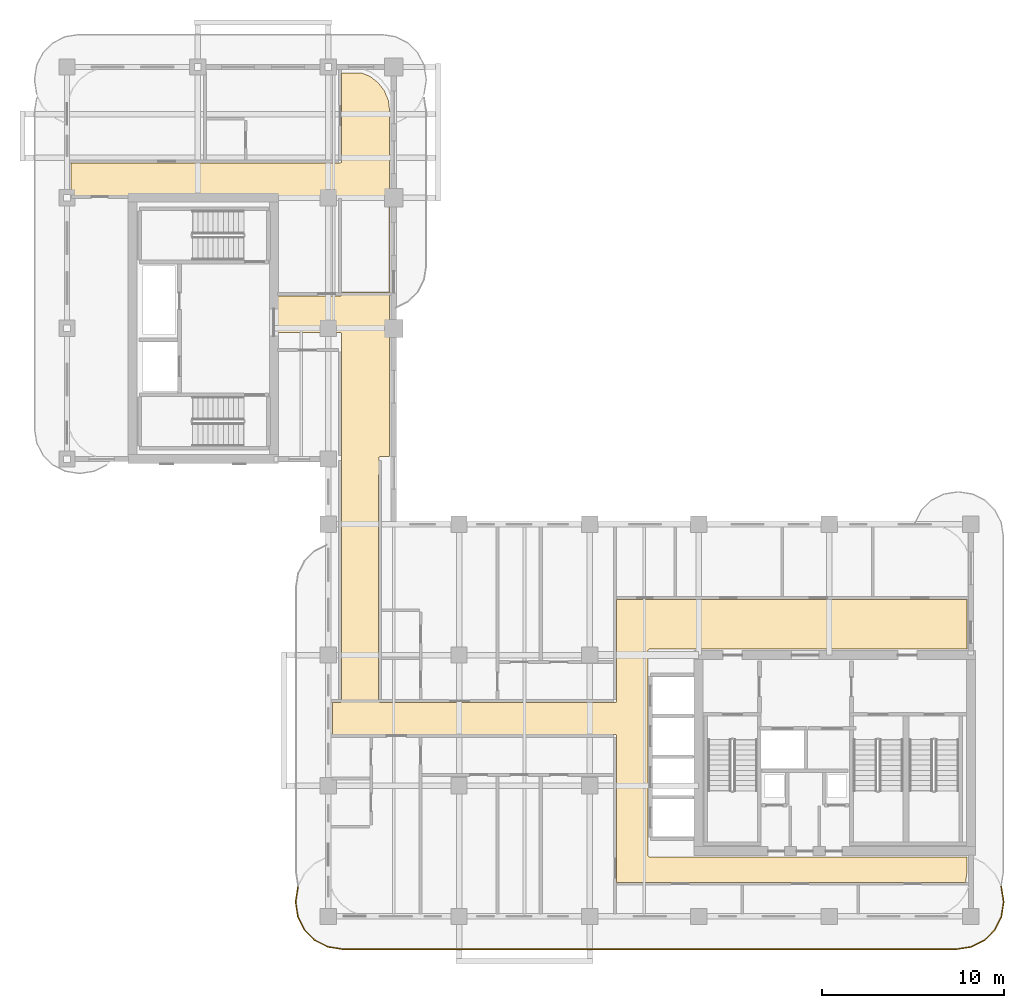
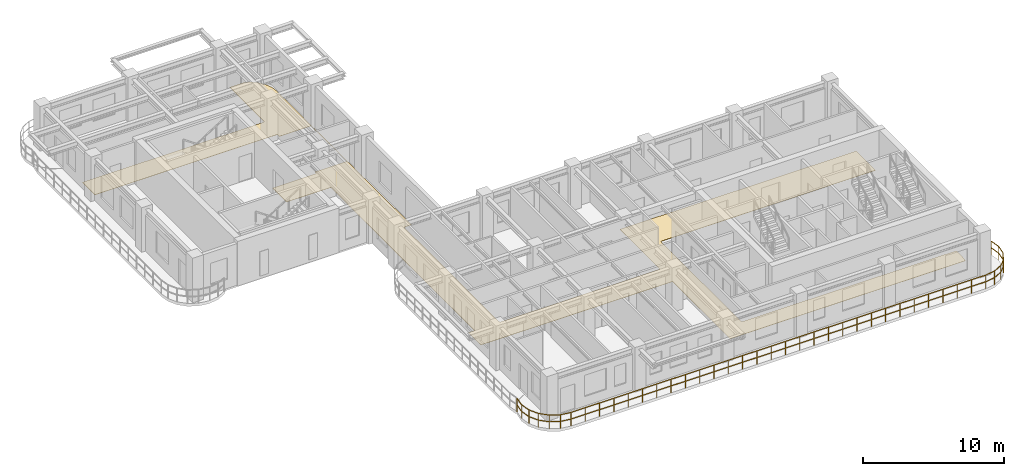
# One storey, part 11 of 14: 1 covering, 1 railing.
"""IFC4 building model written with IfcOpenShell, lengths in metres."""

from ifc_helpers import new_model, si_unit, derived_unit, direction, frame, origin, origin_2d, place, context, subcontext, project, spatial, polyline, rectangle, outline, extrude, material, layer, layer_set, type_object, element, save


model = new_model("IFC4")

# Units and contexts
model_context = context("Model", 3, precision=1e-05, world=origin(), true_north=direction((0.0, 1.0)))
body_context = subcontext(model_context, "Body", "Model", "MODEL_VIEW")
ifc_project = project(units=[si_unit("LENGTHUNIT", "METRE"), si_unit("AREAUNIT", "SQUARE_METRE"), si_unit("VOLUMEUNIT", "CUBIC_METRE"), si_unit("PLANEANGLEUNIT", "RADIAN"), si_unit("MASSUNIT", "GRAM", prefix="KILO"), si_unit("THERMODYNAMICTEMPERATUREUNIT", "KELVIN"), si_unit("POWERUNIT", "WATT"), derived_unit("THERMALTRANSMITTANCEUNIT", [(si_unit("POWERUNIT", "WATT"), 1), (si_unit("AREAUNIT", "SQUARE_METRE"), -1), (si_unit("THERMODYNAMICTEMPERATUREUNIT", "KELVIN"), -1)])], contexts=[model_context])

# Site, building, storey
site_placement = place(None, origin())
site = spatial("IfcSite", under=ifc_project, at=site_placement, CompositionType="ELEMENT")
building_placement = place(site_placement, origin())
building = spatial("IfcBuilding", under=site, at=building_placement, Name="Zahravan Archway Hotel and Residences", CompositionType="ELEMENT")
storey_placement = place(building_placement, frame((0.0, 0.0, 205.75)))
storey = spatial("IfcBuildingStorey", under=building, at=storey_placement, Name="L51", CompositionType="ELEMENT", Elevation=205.75)

# Covering
ifc_material_1 = material(Name="Engineered Walnut Parquet Flooring")
ifc_layer = layer(ifc_material_1, 0.02197265625, Name="Engineered Walnut Parquet Flooring")
ifc_layer_set = layer_set([ifc_layer], Name="Engineered Walnut Parquet Flooring")
covering_type = type_object("IfcCoveringType", Name="COV-FLR-TIMB", PredefinedType="FLOORING", material=ifc_layer_set)
covering_placement = place(storey_placement, origin())
element("IfcCovering", 1, at=covering_placement, inside=storey, type_object=covering_type, Name="L51 Circulation Floor Finish", PredefinedType="FLOORING", context=body_context, shape_type="SweptSolid", body=[
    extrude(outline(polyline([(32.09228515625, 14.7294921875), (32.04931640625, 14.7119140625), (32.0234375, 14.673095703125), (32.02001953125, 3.35009765625), (32.033447265625, 3.3056640625), (32.0693359375, 3.276123046875), (49.580078125, 3.27001953125), (49.580078125, 2.414306640625), (49.509521484375, 1.8798828125), (30.280029296875, 1.8798828125), (30.280029296875, 9.949951171875), (30.2666015625, 9.994384765625), (30.230712890625, 10.02392578125), (14.6201171875, 10.030029296875), (14.6201171875, 11.7900390625), (15.050048828125, 11.7900390625), (15.094482421875, 11.803466796875), (15.123779296875, 11.83935546875), (15.1298828125, 32.10009765625), (15.116455078125, 32.144287109375), (15.08056640625, 32.173828125), (11.530029296875, 32.179931640625), (11.530029296875, 34.169921875), (15.050048828125, 34.169921875), (15.094482421875, 34.18359375), (15.123779296875, 34.219482421875), (15.1298828125, 34.39990234375), (17.719970703125, 34.39990234375), (17.75, 34.427001953125), (17.75, 39.419921875), (17.722900390625, 39.449951171875), (15.1298828125, 39.449951171875), (15.1298828125, 39.64990234375), (15.116455078125, 39.6943359375), (15.08056640625, 39.723876953125), (0.22998046875, 39.72998046875), (0.22998046875, 41.52001953125), (15.050048828125, 41.52001953125), (15.094482421875, 41.533447265625), (15.123779296875, 41.5693359375), (15.1298828125, 46.469970703125), (16.24560546875, 46.469970703125), (16.689208984375, 46.286376953125), (17.14013671875, 45.940185546875), (17.486328125, 45.489013671875), (17.703857421875, 44.9638671875), (17.77001953125, 44.46142578125), (17.77001953125, 25.330078125), (17.25, 25.330078125), (17.20556640625, 25.31640625), (17.176025390625, 25.280517578125), (17.169921875, 11.8701171875), (17.18359375, 11.82568359375), (17.219482421875, 11.796142578125), (30.199951171875, 11.7900390625), (30.244384765625, 11.803466796875), (30.27392578125, 11.83935546875), (30.280029296875, 17.469970703125), (49.580078125, 17.469970703125), (49.580078125, 14.72998046875), (32.10009765625, 14.72998046875), (32.09228515625, 14.7294921875)])), origin(), (0.0, 0.0, 1.0), 0.02197265625),
])

# Railing
ifc_material_2 = material(Name="Bronze & Laminated Glass Balustrade", Category="glass")
railing_type = type_object("IfcRailingType", Name="RL-BAL-1200", PredefinedType="BALUSTRADE", material=ifc_material_2)
railing_placement = place(storey_placement, frame((51.47509765625, 1.637939453125, 0.0)))
element("IfcRailing", 2, at=railing_placement, inside=storey, type_object=railing_type, Name="L51 Balustrade RL-SLB-BAL-L51-SA-1", PredefinedType="BALUSTRADE", context=body_context, shape_type="SweptSolid", body=[
    extrude(rectangle(XDim=0.048095703125, YDim=0.048095703125, at=origin_2d()), frame((0.0, 0.0, 1.17578125), z_axis=(0.156701202656, -0.987646056584, 0.0), x_axis=(0.987646056584, 0.156701202656, 0.0)), (0.0, 0.0, 1.0), 0.797607421875),
    extrude(rectangle(XDim=0.048095703125, YDim=0.048095703125, at=origin_2d()), frame((0.0, 0.0, 0.60009765625), z_axis=(0.156701202656, -0.987646056584, 0.0), x_axis=(0.987646056584, 0.156701202656, 0.0)), (0.0, 0.0, 1.0), 0.797607421875),
    extrude(rectangle(XDim=0.048095703125, YDim=0.048095703125, at=origin_2d()), frame((0.125, -0.787841796875, 1.17578125), z_axis=(0.0, -1.0, 0.0), x_axis=(1.0, 0.0, 0.0)), (0.0, 0.0, 1.0), 0.10009765625),
    extrude(rectangle(XDim=0.048095703125, YDim=0.048095703125, at=origin_2d()), frame((0.125, -0.787841796875, 0.60009765625), z_axis=(0.0, -1.0, 0.0), x_axis=(1.0, 0.0, 0.0)), (0.0, 0.0, 1.0), 0.10009765625),
    extrude(rectangle(XDim=0.048095703125, YDim=0.048095703125, at=origin_2d()), frame((0.125, -0.887939453125, 1.17578125), z_axis=(-0.156653849773, -0.98765356849, 0.0), x_axis=(0.98765356849, -0.156653849773, 0.0)), (0.0, 0.0, 1.0), 0.7978515625),
    extrude(rectangle(XDim=0.048095703125, YDim=0.048095703125, at=origin_2d()), frame((0.125, -0.887939453125, 0.60009765625), z_axis=(-0.156653849773, -0.98765356849, 0.0), x_axis=(0.98765356849, -0.156653849773, 0.0)), (0.0, 0.0, 1.0), 0.7978515625),
    extrude(rectangle(XDim=0.048095703125, YDim=0.048095703125, at=origin_2d()), frame((0.0, -1.676025390625, 1.17578125), z_axis=(-0.453934952053, -0.891034824967, 0.0), x_axis=(0.891034824967, -0.453934952053, 0.0)), (0.0, 0.0, 1.0), 0.797607421875),
    extrude(rectangle(XDim=0.048095703125, YDim=0.048095703125, at=origin_2d()), frame((0.0, -1.676025390625, 0.60009765625), z_axis=(-0.453934952053, -0.891034824967, 0.0), x_axis=(0.891034824967, -0.453934952053, 0.0)), (0.0, 0.0, 1.0), 0.797607421875),
    extrude(rectangle(XDim=0.048095703125, YDim=0.048095703125, at=origin_2d()), frame((-0.362060546875, -2.38671875, 1.17578125), z_axis=(-0.707106781187, -0.707106781187, 0.0), x_axis=(0.707106781187, -0.707106781187, 0.0)), (0.0, 0.0, 1.0), 0.7978515625),
    extrude(rectangle(XDim=0.048095703125, YDim=0.048095703125, at=origin_2d()), frame((-0.362060546875, -2.38671875, 0.60009765625), z_axis=(-0.707106781187, -0.707106781187, 0.0), x_axis=(0.707106781187, -0.707106781187, 0.0)), (0.0, 0.0, 1.0), 0.7978515625),
    extrude(rectangle(XDim=0.048095703125, YDim=0.048095703125, at=origin_2d()), frame((-0.92626953125, -2.950927734375, 1.17578125), z_axis=(-0.890974108706, -0.454054113091, 0.0), x_axis=(0.454054113091, -0.890974108706, 0.0)), (0.0, 0.0, 1.0), 0.7978515625),
    extrude(rectangle(XDim=0.048095703125, YDim=0.048095703125, at=origin_2d()), frame((-0.92626953125, -2.950927734375, 0.60009765625), z_axis=(-0.890974108706, -0.454054113091, 0.0), x_axis=(0.454054113091, -0.890974108706, 0.0)), (0.0, 0.0, 1.0), 0.7978515625),
    extrude(rectangle(XDim=0.048095703125, YDim=0.048095703125, at=origin_2d()), frame((-1.63720703125, -3.313232421875, 1.17578125), z_axis=(-0.987693380745, -0.156402639467, 0.0), x_axis=(0.156402639467, -0.987693380745, 0.0)), (0.0, 0.0, 1.0), 0.797607421875),
    extrude(rectangle(XDim=0.048095703125, YDim=0.048095703125, at=origin_2d()), frame((-1.63720703125, -3.313232421875, 0.60009765625), z_axis=(-0.987693380745, -0.156402639467, 0.0), x_axis=(0.156402639467, -0.987693380745, 0.0)), (0.0, 0.0, 1.0), 0.797607421875),
    extrude(rectangle(XDim=0.048095703125, YDim=0.048095703125, at=origin_2d()), frame((-2.425048828125, -3.43798828125, 1.17578125), z_axis=(-1.0, 0.0, 0.0), x_axis=(0.0, -1.0, 0.0)), (0.0, 0.0, 1.0), 33.900146484375),
    extrude(rectangle(XDim=0.048095703125, YDim=0.048095703125, at=origin_2d()), frame((-2.425048828125, -3.43798828125, 0.60009765625), z_axis=(-1.0, 0.0, 0.0), x_axis=(0.0, -1.0, 0.0)), (0.0, 0.0, 1.0), 33.900146484375),
    extrude(rectangle(XDim=0.048095703125, YDim=0.048095703125, at=origin_2d()), frame((-36.3251953125, -3.43798828125, 1.17578125), z_axis=(-0.987693380745, 0.156402639467, 0.0), x_axis=(-0.156402639467, -0.987693380745, 0.0)), (0.0, 0.0, 1.0), 0.797607421875),
    extrude(rectangle(XDim=0.048095703125, YDim=0.048095703125, at=origin_2d()), frame((-36.3251953125, -3.43798828125, 0.60009765625), z_axis=(-0.987693380745, 0.156402639467, 0.0), x_axis=(-0.156402639467, -0.987693380745, 0.0)), (0.0, 0.0, 1.0), 0.797607421875),
    extrude(rectangle(XDim=0.048095703125, YDim=0.048095703125, at=origin_2d()), frame((-37.113037109375, -3.313232421875, 1.17578125), z_axis=(-0.890974108706, 0.454054113091, 0.0), x_axis=(-0.454054113091, -0.890974108706, 0.0)), (0.0, 0.0, 1.0), 0.7978515625),
    extrude(rectangle(XDim=0.048095703125, YDim=0.048095703125, at=origin_2d()), frame((-37.113037109375, -3.313232421875, 0.60009765625), z_axis=(-0.890974108706, 0.454054113091, 0.0), x_axis=(-0.454054113091, -0.890974108706, 0.0)), (0.0, 0.0, 1.0), 0.7978515625),
    extrude(rectangle(XDim=0.048095703125, YDim=0.048095703125, at=origin_2d()), frame((-37.823974609375, -2.950927734375, 1.17578125), z_axis=(-0.707106781187, 0.707106781187, 0.0), x_axis=(-0.707106781187, -0.707106781187, 0.0)), (0.0, 0.0, 1.0), 0.7978515625),
    extrude(rectangle(XDim=0.048095703125, YDim=0.048095703125, at=origin_2d()), frame((-37.823974609375, -2.950927734375, 0.60009765625), z_axis=(-0.707106781187, 0.707106781187, 0.0), x_axis=(-0.707106781187, -0.707106781187, 0.0)), (0.0, 0.0, 1.0), 0.7978515625),
    extrude(rectangle(XDim=0.048095703125, YDim=0.048095703125, at=origin_2d()), frame((-38.38818359375, -2.38671875, 1.17578125), z_axis=(-0.453934952053, 0.891034824967, 0.0), x_axis=(-0.891034824967, -0.453934952053, 0.0)), (0.0, 0.0, 1.0), 0.797607421875),
    extrude(rectangle(XDim=0.048095703125, YDim=0.048095703125, at=origin_2d()), frame((-38.38818359375, -2.38671875, 0.60009765625), z_axis=(-0.453934952053, 0.891034824967, 0.0), x_axis=(-0.891034824967, -0.453934952053, 0.0)), (0.0, 0.0, 1.0), 0.797607421875),
    extrude(rectangle(XDim=0.048095703125, YDim=0.048095703125, at=origin_2d()), frame((-38.750244140625, -1.676025390625, 1.17578125), z_axis=(-0.156355372278, 0.987700864412, 0.0), x_axis=(-0.987700864412, -0.156355372278, 0.0)), (0.0, 0.0, 1.0), 0.7978515625),
    extrude(rectangle(XDim=0.048095703125, YDim=0.048095703125, at=origin_2d()), frame((-38.750244140625, -1.676025390625, 0.60009765625), z_axis=(-0.156355372278, 0.987700864412, 0.0), x_axis=(-0.987700864412, -0.156355372278, 0.0)), (0.0, 0.0, 1.0), 0.7978515625),
    extrude(rectangle(XDim=0.048095703125, YDim=0.048095703125, at=origin_2d()), frame((-38.875, -0.887939453125, 1.17578125), z_axis=(0.0, 1.0, 0.0), x_axis=(-1.0, 0.0, 0.0)), (0.0, 0.0, 1.0), 0.10009765625),
    extrude(rectangle(XDim=0.048095703125, YDim=0.048095703125, at=origin_2d()), frame((-38.875, -0.887939453125, 0.60009765625), z_axis=(0.0, 1.0, 0.0), x_axis=(-1.0, 0.0, 0.0)), (0.0, 0.0, 1.0), 0.10009765625),
    extrude(rectangle(XDim=0.048095703125, YDim=0.048095703125, at=origin_2d()), frame((-38.875, -0.787841796875, 1.17578125), z_axis=(0.156402639467, 0.987693380745, 0.0), x_axis=(-0.987693380745, 0.156402639467, 0.0)), (0.0, 0.0, 1.0), 0.797607421875),
    extrude(rectangle(XDim=0.048095703125, YDim=0.048095703125, at=origin_2d()), frame((-38.875, -0.787841796875, 0.60009765625), z_axis=(0.156402639467, 0.987693380745, 0.0), x_axis=(-0.987693380745, 0.156402639467, 0.0)), (0.0, 0.0, 1.0), 0.797607421875),
    extrude(rectangle(XDim=0.0419921875, YDim=0.0419921875, at=origin_2d()), origin(), (0.0, 0.0, 1.0), 1.15185546875),
    extrude(rectangle(XDim=0.0419921875, YDim=0.0419921875, at=origin_2d()), frame((0.125, -0.787841796875, 0.0)), (0.0, 0.0, 1.0), 1.15185546875),
    extrude(rectangle(XDim=0.0419921875, YDim=0.0419921875, at=origin_2d()), frame((0.0, -1.676025390625, 0.0)), (0.0, 0.0, 1.0), 1.15185546875),
    extrude(rectangle(XDim=0.0419921875, YDim=0.0419921875, at=origin_2d()), frame((-0.362060546875, -2.38671875, 0.0)), (0.0, 0.0, 1.0), 1.15185546875),
    extrude(rectangle(XDim=0.0419921875, YDim=0.0419921875, at=origin_2d()), frame((-0.92626953125, -2.950927734375, 0.0)), (0.0, 0.0, 1.0), 1.15185546875),
    extrude(rectangle(XDim=0.0419921875, YDim=0.0419921875, at=origin_2d()), frame((-1.63720703125, -3.313232421875, 0.0)), (0.0, 0.0, 1.0), 1.15185546875),
    extrude(rectangle(XDim=0.0419921875, YDim=0.0419921875, at=origin_2d()), frame((-2.425048828125, -3.43798828125, 0.0)), (0.0, 0.0, 1.0), 1.15185546875),
    extrude(rectangle(XDim=0.0419921875, YDim=0.0419921875, at=origin_2d()), frame((-3.593994140625, -3.43798828125, 0.0)), (0.0, 0.0, 1.0), 1.15185546875),
    extrude(rectangle(XDim=0.0419921875, YDim=0.0419921875, at=origin_2d()), frame((-4.762939453125, -3.43798828125, 0.0)), (0.0, 0.0, 1.0), 1.15185546875),
    extrude(rectangle(XDim=0.0419921875, YDim=0.0419921875, at=origin_2d()), frame((-5.931884765625, -3.43798828125, 0.0)), (0.0, 0.0, 1.0), 1.15185546875),
    extrude(rectangle(XDim=0.0419921875, YDim=0.0419921875, at=origin_2d()), frame((-7.100830078125, -3.43798828125, 0.0)), (0.0, 0.0, 1.0), 1.15185546875),
    extrude(rectangle(XDim=0.0419921875, YDim=0.0419921875, at=origin_2d()), frame((-8.27001953125, -3.43798828125, 0.0)), (0.0, 0.0, 1.0), 1.15185546875),
    extrude(rectangle(XDim=0.0419921875, YDim=0.0419921875, at=origin_2d()), frame((-9.43896484375, -3.43798828125, 0.0)), (0.0, 0.0, 1.0), 1.15185546875),
    extrude(rectangle(XDim=0.0419921875, YDim=0.0419921875, at=origin_2d()), frame((-10.60791015625, -3.43798828125, 0.0)), (0.0, 0.0, 1.0), 1.15185546875),
    extrude(rectangle(XDim=0.0419921875, YDim=0.0419921875, at=origin_2d()), frame((-11.77685546875, -3.43798828125, 0.0)), (0.0, 0.0, 1.0), 1.15185546875),
    extrude(rectangle(XDim=0.0419921875, YDim=0.0419921875, at=origin_2d()), frame((-12.94580078125, -3.43798828125, 0.0)), (0.0, 0.0, 1.0), 1.15185546875),
    extrude(rectangle(XDim=0.0419921875, YDim=0.0419921875, at=origin_2d()), frame((-14.11474609375, -3.43798828125, 0.0)), (0.0, 0.0, 1.0), 1.15185546875),
    extrude(rectangle(XDim=0.0419921875, YDim=0.0419921875, at=origin_2d()), frame((-15.28369140625, -3.43798828125, 0.0)), (0.0, 0.0, 1.0), 1.15185546875),
    extrude(rectangle(XDim=0.0419921875, YDim=0.0419921875, at=origin_2d()), frame((-16.45263671875, -3.43798828125, 0.0)), (0.0, 0.0, 1.0), 1.15185546875),
    extrude(rectangle(XDim=0.0419921875, YDim=0.0419921875, at=origin_2d()), frame((-17.62158203125, -3.43798828125, 0.0)), (0.0, 0.0, 1.0), 1.15185546875),
    extrude(rectangle(XDim=0.0419921875, YDim=0.0419921875, at=origin_2d()), frame((-18.79052734375, -3.43798828125, 0.0)), (0.0, 0.0, 1.0), 1.15185546875),
    extrude(rectangle(XDim=0.0419921875, YDim=0.0419921875, at=origin_2d()), frame((-19.959716796875, -3.43798828125, 0.0)), (0.0, 0.0, 1.0), 1.15185546875),
    extrude(rectangle(XDim=0.0419921875, YDim=0.0419921875, at=origin_2d()), frame((-21.128662109375, -3.43798828125, 0.0)), (0.0, 0.0, 1.0), 1.15185546875),
    extrude(rectangle(XDim=0.0419921875, YDim=0.0419921875, at=origin_2d()), frame((-22.297607421875, -3.43798828125, 0.0)), (0.0, 0.0, 1.0), 1.15185546875),
    extrude(rectangle(XDim=0.0419921875, YDim=0.0419921875, at=origin_2d()), frame((-23.466552734375, -3.43798828125, 0.0)), (0.0, 0.0, 1.0), 1.15185546875),
    extrude(rectangle(XDim=0.0419921875, YDim=0.0419921875, at=origin_2d()), frame((-24.635498046875, -3.43798828125, 0.0)), (0.0, 0.0, 1.0), 1.15185546875),
    extrude(rectangle(XDim=0.0419921875, YDim=0.0419921875, at=origin_2d()), frame((-25.804443359375, -3.43798828125, 0.0)), (0.0, 0.0, 1.0), 1.15185546875),
    extrude(rectangle(XDim=0.0419921875, YDim=0.0419921875, at=origin_2d()), frame((-26.973388671875, -3.43798828125, 0.0)), (0.0, 0.0, 1.0), 1.15185546875),
    extrude(rectangle(XDim=0.0419921875, YDim=0.0419921875, at=origin_2d()), frame((-28.142333984375, -3.43798828125, 0.0)), (0.0, 0.0, 1.0), 1.15185546875),
    extrude(rectangle(XDim=0.0419921875, YDim=0.0419921875, at=origin_2d()), frame((-29.311279296875, -3.43798828125, 0.0)), (0.0, 0.0, 1.0), 1.15185546875),
    extrude(rectangle(XDim=0.0419921875, YDim=0.0419921875, at=origin_2d()), frame((-30.480224609375, -3.43798828125, 0.0)), (0.0, 0.0, 1.0), 1.15185546875),
    extrude(rectangle(XDim=0.0419921875, YDim=0.0419921875, at=origin_2d()), frame((-31.6494140625, -3.43798828125, 0.0)), (0.0, 0.0, 1.0), 1.15185546875),
    extrude(rectangle(XDim=0.0419921875, YDim=0.0419921875, at=origin_2d()), frame((-32.818359375, -3.43798828125, 0.0)), (0.0, 0.0, 1.0), 1.15185546875),
    extrude(rectangle(XDim=0.0419921875, YDim=0.0419921875, at=origin_2d()), frame((-33.9873046875, -3.43798828125, 0.0)), (0.0, 0.0, 1.0), 1.15185546875),
    extrude(rectangle(XDim=0.0419921875, YDim=0.0419921875, at=origin_2d()), frame((-35.15625, -3.43798828125, 0.0)), (0.0, 0.0, 1.0), 1.15185546875),
    extrude(rectangle(XDim=0.0419921875, YDim=0.0419921875, at=origin_2d()), frame((-36.3251953125, -3.43798828125, 0.0)), (0.0, 0.0, 1.0), 1.15185546875),
    extrude(rectangle(XDim=0.0419921875, YDim=0.0419921875, at=origin_2d()), frame((-37.113037109375, -3.313232421875, 0.0)), (0.0, 0.0, 1.0), 1.15185546875),
    extrude(rectangle(XDim=0.0419921875, YDim=0.0419921875, at=origin_2d()), frame((-37.823974609375, -2.950927734375, 0.0)), (0.0, 0.0, 1.0), 1.15185546875),
    extrude(rectangle(XDim=0.0419921875, YDim=0.0419921875, at=origin_2d()), frame((-38.38818359375, -2.38671875, 0.0)), (0.0, 0.0, 1.0), 1.15185546875),
    extrude(rectangle(XDim=0.0419921875, YDim=0.0419921875, at=origin_2d()), frame((-38.750244140625, -1.676025390625, 0.0)), (0.0, 0.0, 1.0), 1.15185546875),
    extrude(rectangle(XDim=0.0419921875, YDim=0.0419921875, at=origin_2d()), frame((-38.875, -0.887939453125, 0.0)), (0.0, 0.0, 1.0), 1.15185546875),
    extrude(rectangle(XDim=0.0419921875, YDim=0.0419921875, at=origin_2d()), frame((-38.750244140625, 0.0, 0.0)), (0.0, 0.0, 1.0), 1.15185546875),
])

save(model, "model.ifc")
